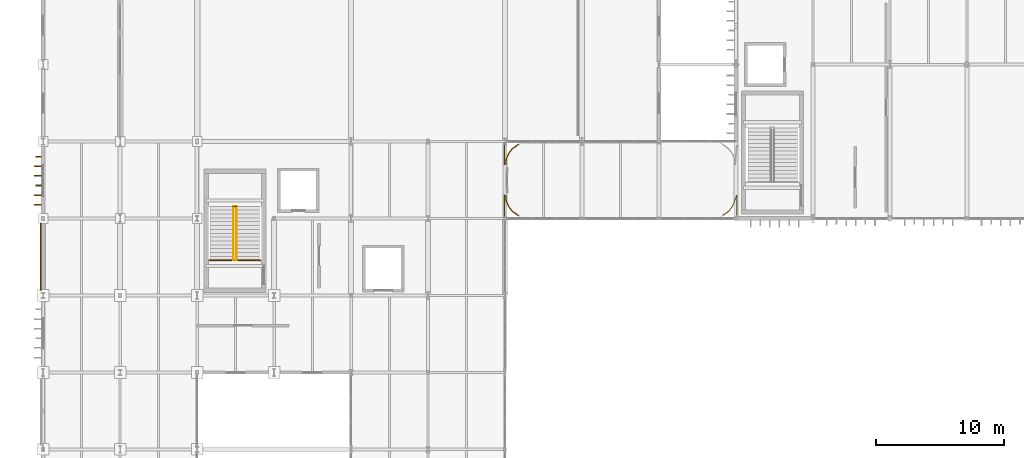
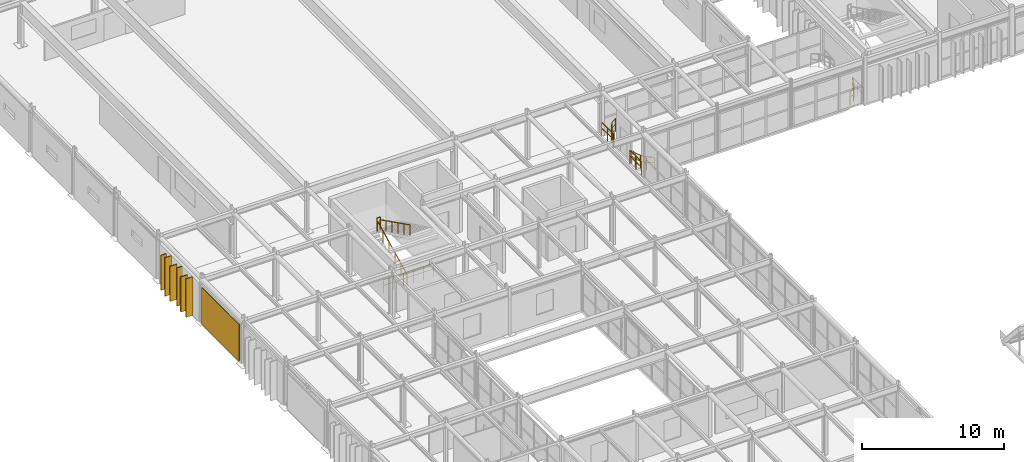
# One storey, part 107 of 116: 9 railings, 6 coverings, 1 shading device.
"""IFC4 building model written with IfcOpenShell, lengths in metres."""

from ifc_helpers import new_model, si_unit, direction, frame, origin, origin_2d, place, context, subcontext, project, spatial, rectangle, circle, extrude, material, layer, layer_set, type_object, element, save


model = new_model("IFC4")

# Units and contexts
model_context = context("Model", 3, precision=1e-05, world=origin(), true_north=direction((0.0, 1.0)))
body_context = subcontext(model_context, "Body", "Model", "MODEL_VIEW")
ifc_project = project(units=[si_unit("LENGTHUNIT", "METRE"), si_unit("AREAUNIT", "SQUARE_METRE"), si_unit("VOLUMEUNIT", "CUBIC_METRE"), si_unit("PLANEANGLEUNIT", "RADIAN"), si_unit("MASSUNIT", "GRAM", prefix="KILO")], contexts=[model_context])

# Site, building, storey
site_placement = place(None, origin())
site = spatial("IfcSite", under=ifc_project, at=site_placement, CompositionType="ELEMENT")
building_placement = place(site_placement, origin())
building = spatial("IfcBuilding", under=site, at=building_placement, Name="Varnakota Square Police Headquarters", CompositionType="ELEMENT")
storey_placement = place(building_placement, frame((0.0, 0.0, 9.300048828125)))
storey = spatial("IfcBuildingStorey", under=building, at=storey_placement, Name="L02", CompositionType="ELEMENT", Elevation=9.300048828125)

# Coverings
ifc_material_1 = material(Name="White Anodised Aluminium Vertical Facade Blade 420", Category="aluminium")
ifc_layer_1 = layer(ifc_material_1, 0.0849609375, Name="White Anodised Aluminium Vertical Facade Blade 420")
ifc_layer_set_1 = layer_set([ifc_layer_1], Name="White Anodised Aluminium Vertical Facade Blade 420")
covering_type_1 = type_object("IfcCoveringType", Name="COV-FIN-420", PredefinedType="CLADDING", material=ifc_layer_set_1)
covering_1_placement = place(storey_placement, frame((5.635009765625, 71.574951171875, 0.0400390625), z_axis=(0.0, 0.0, 1.0), x_axis=(0.0, 1.0, 0.0)))
element("IfcCovering", 1, at=covering_1_placement, inside=storey, type_object=covering_type_1, Name="Vertical aluminium facade fin FIN-0974", PredefinedType="CLADDING", context=body_context, shape_type="SweptSolid", body=[
    extrude(rectangle(XDim=0.0849609375, YDim=0.419921875, at=origin_2d()), origin(), (0.0, 0.0, 1.0), 3.31005859375),
])
covering_2_placement = place(storey_placement, frame((5.635009765625, 73.824951171875, 0.0400390625), z_axis=(0.0, 0.0, 1.0), x_axis=(0.0, 1.0, 0.0)))
element("IfcCovering", 2, at=covering_2_placement, inside=storey, type_object=covering_type_1, Name="Vertical aluminium facade fin FIN-0977", PredefinedType="CLADDING", context=body_context, shape_type="SweptSolid", body=[
    extrude(rectangle(XDim=0.0849609375, YDim=0.419921875, at=origin_2d()), origin(), (0.0, 0.0, 1.0), 3.030029296875),
])
ifc_material_2 = material(Name="White Anodised Aluminium Vertical Facade Blade 550", Category="aluminium")
ifc_layer_2 = layer(ifc_material_2, 0.0849609375, Name="White Anodised Aluminium Vertical Facade Blade 550")
ifc_layer_set_2 = layer_set([ifc_layer_2], Name="White Anodised Aluminium Vertical Facade Blade 550")
covering_type_2 = type_object("IfcCoveringType", Name="COV-FIN-550", PredefinedType="CLADDING", material=ifc_layer_set_2)
covering_3_placement = place(storey_placement, frame((5.570068359375, 70.074951171875, 0.0400390625), z_axis=(0.0, 0.0, 1.0), x_axis=(0.0, 1.0, 0.0)))
element("IfcCovering", 3, at=covering_3_placement, inside=storey, type_object=covering_type_2, Name="Vertical aluminium facade fin FIN-0972", PredefinedType="CLADDING", context=body_context, shape_type="SweptSolid", body=[
    extrude(rectangle(XDim=0.0849609375, YDim=0.550048828125, at=origin_2d()), origin(), (0.0, 0.0, 1.0), 3.31005859375),
])
for number, where, z_axis, x_axis, name in (
    (4, (5.570068359375, 70.824951171875, 0.0400390625), (0.0, 0.0, 1.0), (0.0, 1.0, 0.0), "Vertical aluminium facade fin FIN-0973"),
    (5, (5.570068359375, 72.324951171875, 0.0400390625), (0.0, 0.0, 1.0), (0.0, 1.0, 0.0), "Vertical aluminium facade fin FIN-0975"),
):
    element("IfcCovering", number, at=place(storey_placement, frame(where, z_axis=z_axis, x_axis=x_axis)), inside=storey, type_object=covering_type_2, Name=name, PredefinedType="CLADDING", context=body_context, shape_type="SweptSolid", body=[
        extrude(rectangle(XDim=0.0849609375, YDim=0.550048828125, at=origin_2d()), origin(), (0.0, 0.0, 1.0), 3.030029296875),
    ])
covering_4_placement = place(storey_placement, frame((5.570068359375, 73.074951171875, 0.0400390625), z_axis=(0.0, 0.0, 1.0), x_axis=(0.0, 1.0, 0.0)))
element("IfcCovering", 6, at=covering_4_placement, inside=storey, type_object=covering_type_2, Name="Vertical aluminium facade fin FIN-0976", PredefinedType="CLADDING", context=body_context, shape_type="SweptSolid", body=[
    extrude(rectangle(XDim=0.0849609375, YDim=0.550048828125, at=origin_2d()), origin(), (0.0, 0.0, 1.0), 3.31005859375),
])

# Railings
ifc_material_3 = material(Name="Galvanised Powder-Coated Steel Guardrail", Category="steel")
railing_type_1 = type_object("IfcRailingType", Name="RL-BAL-1150", PredefinedType="BALUSTRADE", material=ifc_material_3)
railing_1_placement = place(storey_placement, frame((60.050048828125, 69.259765625, 0.0)))
element("IfcRailing", 7, at=railing_1_placement, inside=storey, type_object=railing_type_1, Name="Perimeter edge safety guard GD-AUTO-L02-061", PredefinedType="BALUSTRADE", context=body_context, shape_type="SweptSolid", body=[
    extrude(circle(Radius=0.02392578125, at=origin_2d()), frame((0.0, 0.0, 1.1259765625), z_axis=(0.0, 1.0, 0.0), x_axis=(-1.0, 0.0, 0.0)), (0.0, 0.0, 1.0), 1.540283203125),
    extrude(circle(Radius=0.01806640625, at=origin_2d()), frame((0.0, 0.0, 0.63232421875), z_axis=(0.0, 1.0, 0.0), x_axis=(-1.0, 0.0, 0.0)), (0.0, 0.0, 1.0), 1.540283203125),
    extrude(circle(Radius=0.02392578125, at=origin_2d()), frame((0.0, 1.540283203125, 1.1259765625), z_axis=(-0.333404919762, -0.9427837289, 0.0), x_axis=(0.9427837289, -0.333404919762, 0.0)), (0.0, 0.0, 1.0), 0.48046875),
    extrude(circle(Radius=0.01806640625, at=origin_2d()), frame((0.0, 1.540283203125, 0.63232421875), z_axis=(-0.333404919762, -0.9427837289, 0.0), x_axis=(0.9427837289, -0.333404919762, 0.0)), (0.0, 0.0, 1.0), 0.48046875),
    extrude(circle(Radius=0.02392578125, at=origin_2d()), frame((-0.16015625, 1.08740234375, 1.1259765625), z_axis=(-0.382792476754, -0.923834357307, 0.0), x_axis=(0.923834357307, -0.382792476754, 0.0)), (0.0, 0.0, 1.0), 0.45654296875),
    extrude(circle(Radius=0.01806640625, at=origin_2d()), frame((-0.16015625, 1.08740234375, 0.63232421875), z_axis=(-0.382792476754, -0.923834357307, 0.0), x_axis=(0.923834357307, -0.382792476754, 0.0)), (0.0, 0.0, 1.0), 0.45654296875),
    extrude(circle(Radius=0.02392578125, at=origin_2d()), frame((-0.3349609375, 0.66552734375, 1.1259765625), z_axis=(-0.608857902601, -0.79327930418, 0.0), x_axis=(0.79327930418, -0.608857902601, 0.0)), (0.0, 0.0, 1.0), 0.456787109375),
    extrude(circle(Radius=0.01806640625, at=origin_2d()), frame((-0.3349609375, 0.66552734375, 0.63232421875), z_axis=(-0.608857902601, -0.79327930418, 0.0), x_axis=(0.79327930418, -0.608857902601, 0.0)), (0.0, 0.0, 1.0), 0.456787109375),
    extrude(circle(Radius=0.02392578125, at=origin_2d()), frame((-0.613037109375, 0.30322265625, 1.1259765625), z_axis=(-0.824403755148, -0.566002162979, 0.0), x_axis=(0.566002162979, -0.824403755148, 0.0)), (0.0, 0.0, 1.0), 0.570556640625),
    extrude(circle(Radius=0.01806640625, at=origin_2d()), frame((-0.613037109375, 0.30322265625, 0.63232421875), z_axis=(-0.824403755148, -0.566002162979, 0.0), x_axis=(0.566002162979, -0.824403755148, 0.0)), (0.0, 0.0, 1.0), 0.570556640625),
    extrude(circle(Radius=0.02099609375, at=origin_2d()), origin(), (0.0, 0.0, 1.0), 1.101806640625),
    extrude(circle(Radius=0.02099609375, at=origin_2d()), frame((0.0, 0.77001953125, 0.0)), (0.0, 0.0, 1.0), 1.101806640625),
    extrude(circle(Radius=0.02099609375, at=origin_2d()), frame((0.0, 1.540283203125, 0.0)), (0.0, 0.0, 1.0), 1.101806640625),
    extrude(circle(Radius=0.02099609375, at=origin_2d()), frame((-0.16015625, 1.08740234375, 0.0)), (0.0, 0.0, 1.0), 1.101806640625),
    extrude(circle(Radius=0.02099609375, at=origin_2d()), frame((-0.3349609375, 0.66552734375, 0.0)), (0.0, 0.0, 1.0), 1.101806640625),
    extrude(circle(Radius=0.02099609375, at=origin_2d()), frame((-0.613037109375, 0.30322265625, 0.0)), (0.0, 0.0, 1.0), 1.101806640625),
    extrude(circle(Radius=0.02099609375, at=origin_2d()), frame((-1.08349609375, -0.019775390625, 0.0)), (0.0, 0.0, 1.0), 1.101806640625),
])
railing_2_placement = place(storey_placement, frame((43.033447265625, 69.239990234375, 0.0)))
element("IfcRailing", 8, at=railing_2_placement, inside=storey, type_object=railing_type_1, Name="Perimeter edge safety guard GD-AUTO-L02-062", PredefinedType="BALUSTRADE", context=body_context, shape_type="SweptSolid", body=[
    extrude(circle(Radius=0.02392578125, at=origin_2d()), frame((0.0, 0.0, 1.1259765625), z_axis=(-0.824403755148, 0.566002162979, 0.0), x_axis=(-0.566002162979, -0.824403755148, 0.0)), (0.0, 0.0, 1.0), 0.570556640625),
    extrude(circle(Radius=0.01806640625, at=origin_2d()), frame((0.0, 0.0, 0.63232421875), z_axis=(-0.824403755148, 0.566002162979, 0.0), x_axis=(-0.566002162979, -0.824403755148, 0.0)), (0.0, 0.0, 1.0), 0.570556640625),
    extrude(circle(Radius=0.02392578125, at=origin_2d()), frame((-0.470458984375, 0.322998046875, 1.1259765625), z_axis=(-0.608857902601, 0.79327930418, 0.0), x_axis=(-0.79327930418, -0.608857902601, 0.0)), (0.0, 0.0, 1.0), 0.456787109375),
    extrude(circle(Radius=0.01806640625, at=origin_2d()), frame((-0.470458984375, 0.322998046875, 0.63232421875), z_axis=(-0.608857902601, 0.79327930418, 0.0), x_axis=(-0.79327930418, -0.608857902601, 0.0)), (0.0, 0.0, 1.0), 0.456787109375),
    extrude(circle(Radius=0.02392578125, at=origin_2d()), frame((-0.74853515625, 0.685302734375, 1.1259765625), z_axis=(-0.382792476754, 0.923834357307, 0.0), x_axis=(-0.923834357307, -0.382792476754, 0.0)), (0.0, 0.0, 1.0), 0.45654296875),
    extrude(circle(Radius=0.01806640625, at=origin_2d()), frame((-0.74853515625, 0.685302734375, 0.63232421875), z_axis=(-0.382792476754, 0.923834357307, 0.0), x_axis=(-0.923834357307, -0.382792476754, 0.0)), (0.0, 0.0, 1.0), 0.45654296875),
    extrude(circle(Radius=0.02392578125, at=origin_2d()), frame((-0.92333984375, 1.107177734375, 1.1259765625), z_axis=(-0.13054376926, 0.991442547154, 0.0), x_axis=(-0.991442547154, -0.13054376926, 0.0)), (0.0, 0.0, 1.0), 0.424560546875),
    extrude(circle(Radius=0.01806640625, at=origin_2d()), frame((-0.92333984375, 1.107177734375, 0.63232421875), z_axis=(-0.13054376926, 0.991442547154, 0.0), x_axis=(-0.991442547154, -0.13054376926, 0.0)), (0.0, 0.0, 1.0), 0.424560546875),
    extrude(circle(Radius=0.02099609375, at=origin_2d()), origin(), (0.0, 0.0, 1.0), 1.101806640625),
    extrude(circle(Radius=0.02099609375, at=origin_2d()), frame((-0.470458984375, 0.322998046875, 0.0)), (0.0, 0.0, 1.0), 1.101806640625),
    extrude(circle(Radius=0.02099609375, at=origin_2d()), frame((-0.74853515625, 0.685302734375, 0.0)), (0.0, 0.0, 1.0), 1.101806640625),
    extrude(circle(Radius=0.02099609375, at=origin_2d()), frame((-0.92333984375, 1.107177734375, 0.0)), (0.0, 0.0, 1.0), 1.101806640625),
    extrude(circle(Radius=0.02099609375, at=origin_2d()), frame((-0.978759765625, 1.528076171875, 0.0)), (0.0, 0.0, 1.0), 1.101806640625),
])
railing_3_placement = place(storey_placement, frame((41.961181640625, 70.83154296875, 0.0)))
element("IfcRailing", 9, at=railing_3_placement, inside=storey, type_object=railing_type_1, Name="Perimeter edge safety guard GD-AUTO-L02-063", PredefinedType="BALUSTRADE", context=body_context, shape_type="SweptSolid", body=[
    extrude(circle(Radius=0.02392578125, at=origin_2d()), frame((0.0, 0.0, 1.1259765625), z_axis=(-0.006812638109, -0.999976793712, 0.0), x_axis=(0.999976793712, -0.006812638109, 0.0)), (0.0, 0.0, 1.0), 1.6484375),
    extrude(circle(Radius=0.01806640625, at=origin_2d()), frame((0.0, 0.0, 0.63232421875), z_axis=(-0.006812638109, -0.999976793712, 0.0), x_axis=(0.999976793712, -0.006812638109, 0.0)), (0.0, 0.0, 1.0), 1.6484375),
    extrude(circle(Radius=0.02099609375, at=origin_2d()), origin(), (0.0, 0.0, 1.0), 1.101806640625),
    extrude(circle(Radius=0.02099609375, at=origin_2d()), frame((-0.005615234375, -0.82421875, 0.0)), (0.0, 0.0, 1.0), 1.101806640625),
    extrude(circle(Radius=0.02099609375, at=origin_2d()), frame((-0.01123046875, -1.6484375, 0.0)), (0.0, 0.0, 1.0), 1.101806640625),
])
railing_4_placement = place(storey_placement, frame((42.0546875, 73.23193359375, 0.0)))
element("IfcRailing", 10, at=railing_4_placement, inside=storey, type_object=railing_type_1, Name="Perimeter edge safety guard GD-AUTO-L02-066", PredefinedType="BALUSTRADE", context=body_context, shape_type="SweptSolid", body=[
    extrude(circle(Radius=0.02392578125, at=origin_2d()), frame((0.0, 0.0, 1.1259765625), z_axis=(0.13054376926, 0.991442547154, 0.0), x_axis=(-0.991442547154, 0.13054376926, 0.0)), (0.0, 0.0, 1.0), 0.424560546875),
    extrude(circle(Radius=0.01806640625, at=origin_2d()), frame((0.0, 0.0, 0.63232421875), z_axis=(0.13054376926, 0.991442547154, 0.0), x_axis=(-0.991442547154, 0.13054376926, 0.0)), (0.0, 0.0, 1.0), 0.424560546875),
    extrude(circle(Radius=0.02392578125, at=origin_2d()), frame((0.055419921875, 0.4208984375, 1.1259765625), z_axis=(0.382792476754, 0.923834357307, 0.0), x_axis=(-0.923834357307, 0.382792476754, 0.0)), (0.0, 0.0, 1.0), 0.45654296875),
    extrude(circle(Radius=0.01806640625, at=origin_2d()), frame((0.055419921875, 0.4208984375, 0.63232421875), z_axis=(0.382792476754, 0.923834357307, 0.0), x_axis=(-0.923834357307, 0.382792476754, 0.0)), (0.0, 0.0, 1.0), 0.45654296875),
    extrude(circle(Radius=0.02392578125, at=origin_2d()), frame((0.230224609375, 0.8427734375, 1.1259765625), z_axis=(0.608857902601, 0.79327930418, 0.0), x_axis=(-0.79327930418, 0.608857902601, 0.0)), (0.0, 0.0, 1.0), 0.456787109375),
    extrude(circle(Radius=0.01806640625, at=origin_2d()), frame((0.230224609375, 0.8427734375, 0.63232421875), z_axis=(0.608857902601, 0.79327930418, 0.0), x_axis=(-0.79327930418, 0.608857902601, 0.0)), (0.0, 0.0, 1.0), 0.456787109375),
    extrude(circle(Radius=0.02392578125, at=origin_2d()), frame((0.50830078125, 1.205078125, 1.1259765625), z_axis=(0.824403755148, 0.566002162979, 0.0), x_axis=(-0.566002162979, 0.824403755148, 0.0)), (0.0, 0.0, 1.0), 0.570556640625),
    extrude(circle(Radius=0.01806640625, at=origin_2d()), frame((0.50830078125, 1.205078125, 0.63232421875), z_axis=(0.824403755148, 0.566002162979, 0.0), x_axis=(-0.566002162979, 0.824403755148, 0.0)), (0.0, 0.0, 1.0), 0.570556640625),
    extrude(circle(Radius=0.02099609375, at=origin_2d()), origin(), (0.0, 0.0, 1.0), 1.101806640625),
    extrude(circle(Radius=0.02099609375, at=origin_2d()), frame((0.055419921875, 0.4208984375, 0.0)), (0.0, 0.0, 1.0), 1.101806640625),
    extrude(circle(Radius=0.02099609375, at=origin_2d()), frame((0.230224609375, 0.8427734375, 0.0)), (0.0, 0.0, 1.0), 1.101806640625),
    extrude(circle(Radius=0.02099609375, at=origin_2d()), frame((0.50830078125, 1.205078125, 0.0)), (0.0, 0.0, 1.0), 1.101806640625),
    extrude(circle(Radius=0.02099609375, at=origin_2d()), frame((0.978759765625, 1.528076171875, 0.0)), (0.0, 0.0, 1.0), 1.101806640625),
])
railing_5_placement = place(storey_placement, frame((41.949951171875, 74.841796875, 0.0)))
element("IfcRailing", 11, at=railing_5_placement, inside=storey, type_object=railing_type_1, Name="Perimeter edge safety guard GD-AUTO-L02-067", PredefinedType="BALUSTRADE", context=body_context, shape_type="SweptSolid", body=[
    extrude(circle(Radius=0.02392578125, at=origin_2d()), frame((0.0, 0.0, 1.1259765625), z_axis=(0.0, -1.0, 0.0), x_axis=(1.0, 0.0, 0.0)), (0.0, 0.0, 1.0), 1.641845703125),
    extrude(circle(Radius=0.01806640625, at=origin_2d()), frame((0.0, 0.0, 0.63232421875), z_axis=(0.0, -1.0, 0.0), x_axis=(1.0, 0.0, 0.0)), (0.0, 0.0, 1.0), 1.641845703125),
    extrude(circle(Radius=0.02099609375, at=origin_2d()), origin(), (0.0, 0.0, 1.0), 1.101806640625),
    extrude(circle(Radius=0.02099609375, at=origin_2d()), frame((0.0, -0.82080078125, 0.0)), (0.0, 0.0, 1.0), 1.101806640625),
    extrude(circle(Radius=0.02099609375, at=origin_2d()), frame((0.0, -1.641845703125, 0.0)), (0.0, 0.0, 1.0), 1.101806640625),
])
ifc_material_4 = material(Name="Brushed Stainless Steel Tubular Handrail", Category="steel")
railing_type_2 = type_object("IfcRailingType", Name="RL-HND-920", PredefinedType="HANDRAIL", material=ifc_material_4)
railing_6_placement = place(storey_placement, frame((20.830078125, 65.75, 0.0)))
element("IfcRailing", 12, at=railing_6_placement, inside=storey, type_object=railing_type_2, Name="Stair flight handrail HR-L02-059", PredefinedType="HANDRAIL", context=body_context, shape_type="SweptSolid", body=[
    extrude(circle(Radius=0.02392578125, at=origin_2d()), frame((0.0, 0.0, 0.89599609375), z_axis=(0.0, 0.894468775824, 0.447130416184), x_axis=(-1.0, 0.0, 0.0)), (0.0, 0.0, 1.0), 4.6962890625),
    extrude(circle(Radius=0.02099609375, at=origin_2d()), origin(), (0.0, 0.0, 1.0), 0.871826171875),
    extrude(circle(Radius=0.02099609375, at=origin_2d()), frame((0.0, 0.840087890625, 0.419921875)), (0.0, 0.0, 1.0), 0.871826171875),
    extrude(circle(Radius=0.02099609375, at=origin_2d()), frame((0.0, 1.68017578125, 0.83984375)), (0.0, 0.0, 1.0), 0.871826171875),
    extrude(circle(Radius=0.02099609375, at=origin_2d()), frame((0.0, 2.5205078125, 1.260009765625)), (0.0, 0.0, 1.0), 0.871826171875),
    extrude(circle(Radius=0.02099609375, at=origin_2d()), frame((0.0, 3.360595703125, 1.679931640625)), (0.0, 0.0, 1.0), 0.871826171875),
    extrude(circle(Radius=0.02099609375, at=origin_2d()), frame((0.0, 4.20068359375, 2.099853515625)), (0.0, 0.0, 1.0), 0.871826171875),
])
railing_7_placement = place(storey_placement, frame((21.070068359375, 69.95068359375, 2.099853515625)))
element("IfcRailing", 13, at=railing_7_placement, inside=storey, type_object=railing_type_2, Name="Stair flight handrail HR-L02-060", PredefinedType="HANDRAIL", context=body_context, shape_type="SweptSolid", body=[
    extrude(circle(Radius=0.02392578125, at=origin_2d()), frame((0.0, 0.0, 0.89599609375), z_axis=(0.0, -0.894447983895, 0.447172007292), x_axis=(1.0, 0.0, 0.0)), (0.0, 0.0, 1.0), 4.6962890625),
    extrude(circle(Radius=0.02099609375, at=origin_2d()), origin(), (0.0, 0.0, 1.0), 0.871826171875),
    extrude(circle(Radius=0.02099609375, at=origin_2d()), frame((0.0, -0.840087890625, 0.419921875)), (0.0, 0.0, 1.0), 0.871826171875),
    extrude(circle(Radius=0.02099609375, at=origin_2d()), frame((0.0, -1.68017578125, 0.840087890625)), (0.0, 0.0, 1.0), 0.871826171875),
    extrude(circle(Radius=0.02099609375, at=origin_2d()), frame((0.0, -2.5205078125, 1.260009765625)), (0.0, 0.0, 1.0), 0.871826171875),
    extrude(circle(Radius=0.02099609375, at=origin_2d()), frame((0.0, -3.360595703125, 1.68017578125)), (0.0, 0.0, 1.0), 0.871826171875),
    extrude(circle(Radius=0.02099609375, at=origin_2d()), frame((0.0, -4.20068359375, 2.10009765625)), (0.0, 0.0, 1.0), 0.871826171875),
])
ifc_material_5 = material(Name="Laminated Glass and Stainless Steel Balustrade", Category="steel")
railing_type_3 = type_object("IfcRailingType", Name="RL-INT-1150", PredefinedType="BALUSTRADE", material=ifc_material_5)
railing_8_placement = place(storey_placement, frame((18.93994140625, 65.75, 0.0)))
element("IfcRailing", 14, at=railing_8_placement, inside=storey, type_object=railing_type_3, Name="Stair well safety guard C5 L02", PredefinedType="BALUSTRADE", context=body_context, shape_type="SweptSolid", body=[
    extrude(circle(Radius=0.02392578125, at=origin_2d()), frame((0.0, 0.0, 1.1259765625), z_axis=(1.0, 0.0, 0.0), x_axis=(0.0, 1.0, 0.0)), (0.0, 0.0, 1.0), 4.02001953125),
    extrude(circle(Radius=0.01806640625, at=origin_2d()), frame((0.0, 0.0, 0.63232421875), z_axis=(1.0, 0.0, 0.0), x_axis=(0.0, 1.0, 0.0)), (0.0, 0.0, 1.0), 4.02001953125),
    extrude(circle(Radius=0.02099609375, at=origin_2d()), origin(), (0.0, 0.0, 1.0), 1.101806640625),
    extrude(circle(Radius=0.02099609375, at=origin_2d()), frame((0.803955078125, 0.0, 0.0)), (0.0, 0.0, 1.0), 1.101806640625),
    extrude(circle(Radius=0.02099609375, at=origin_2d()), frame((1.60791015625, 0.0, 0.0)), (0.0, 0.0, 1.0), 1.101806640625),
    extrude(circle(Radius=0.02099609375, at=origin_2d()), frame((2.412109375, 0.0, 0.0)), (0.0, 0.0, 1.0), 1.101806640625),
    extrude(circle(Radius=0.02099609375, at=origin_2d()), frame((3.216064453125, 0.0, 0.0)), (0.0, 0.0, 1.0), 1.101806640625),
    extrude(circle(Radius=0.02099609375, at=origin_2d()), frame((4.02001953125, 0.0, 0.0)), (0.0, 0.0, 1.0), 1.101806640625),
])
railing_9_placement = place(storey_placement, frame((20.820068359375, 69.95068359375, 2.099853515625)))
element("IfcRailing", 15, at=railing_9_placement, inside=storey, type_object=railing_type_3, Name="Half-landing well guard C5 L02", PredefinedType="BALUSTRADE", context=body_context, shape_type="SweptSolid", body=[
    extrude(circle(Radius=0.02392578125, at=origin_2d()), frame((0.0, 0.0, 1.1259765625), z_axis=(1.0, 0.0, 0.0), x_axis=(0.0, 1.0, 0.0)), (0.0, 0.0, 1.0), 0.260009765625),
    extrude(circle(Radius=0.01806640625, at=origin_2d()), frame((0.0, 0.0, 0.63232421875), z_axis=(1.0, 0.0, 0.0), x_axis=(0.0, 1.0, 0.0)), (0.0, 0.0, 1.0), 0.260009765625),
    extrude(circle(Radius=0.02099609375, at=origin_2d()), origin(), (0.0, 0.0, 1.0), 1.101806640625),
    extrude(circle(Radius=0.02099609375, at=origin_2d()), frame((0.260009765625, 0.0, 0.0)), (0.0, 0.0, 1.0), 1.101806640625),
])

# Shading device
ifc_material_6 = material(Name="Perforated Sandstone-Toned GRC Jali Screen", Category="masonry")
ifc_layer_3 = layer(ifc_material_6, 0.080078125, Name="Perforated Sandstone-Toned GRC Jali Screen")
ifc_layer_set_3 = layer_set([ifc_layer_3], Name="Perforated Sandstone-Toned GRC Jali Screen")
shading_device_type = type_object("IfcShadingDeviceType", Name="SHD-SCR-GRC", PredefinedType="USERDEFINED", material=ifc_layer_set_3)
shading_device_placement = place(storey_placement, frame((5.802001953125, 66.02490234375, 0.14990234375), z_axis=(0.0, 0.0, 1.0), x_axis=(0.0, 1.0, 0.0)))
element("IfcShadingDevice", 16, at=shading_device_placement, inside=storey, type_object=shading_device_type, Name="Perforated GRC solar screen SCR-012", ObjectType="SOLAR SCREEN", PredefinedType="USERDEFINED", context=body_context, shape_type="SweptSolid", body=[
    extrude(rectangle(XDim=5.241943359375, YDim=0.080078125, at=origin_2d()), origin(), (0.0, 0.0, 1.0), 3.139892578125),
])

save(model, "model.ifc")
